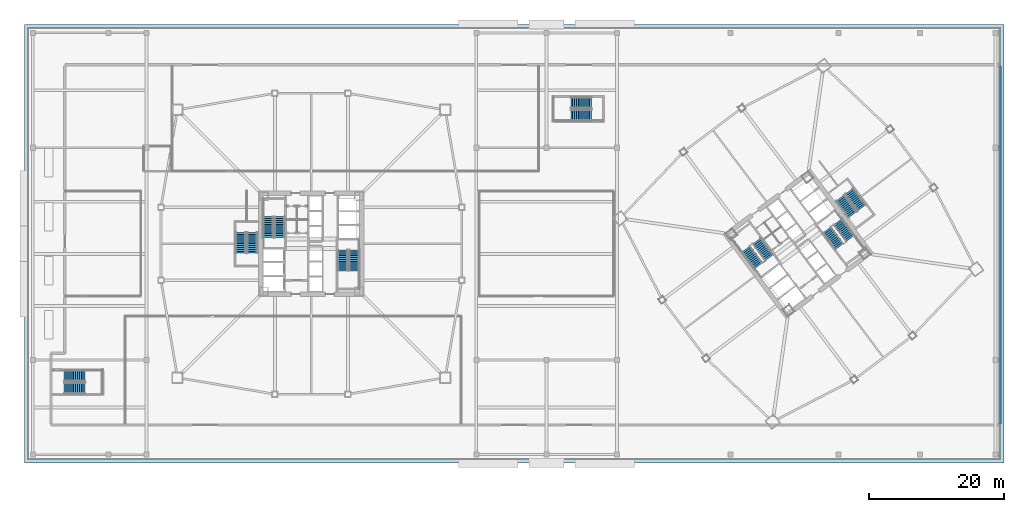
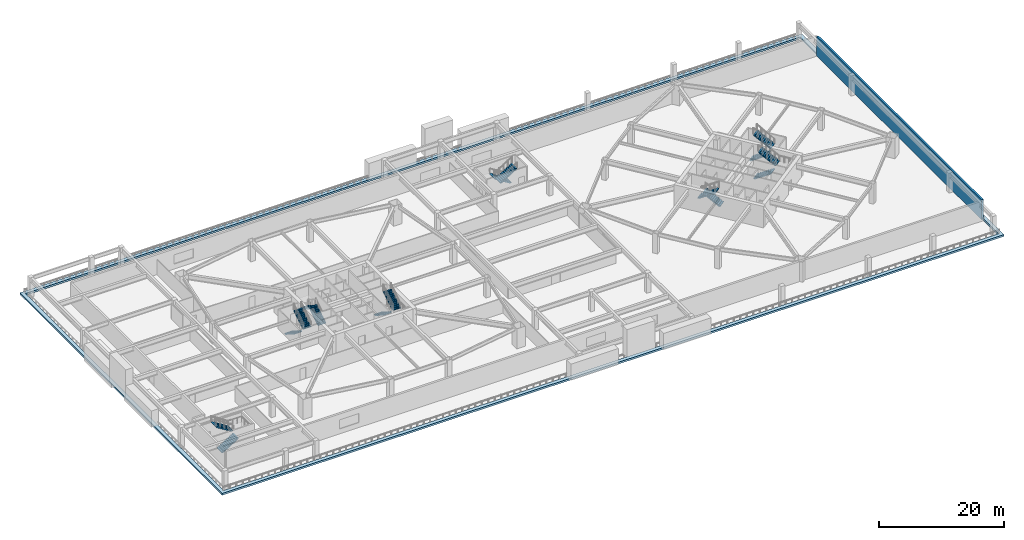
# One storey, part 11 of 20: 16 stair flights, 1 roof, 1 wall, 8 elements without a shape of their own.
"""IFC4 building model written with IfcOpenShell, lengths in metres."""

from ifc_helpers import new_model, si_unit, direction, frame, frame_2d, origin, place, context, subcontext, project, spatial, polyline, rectangle, outline, extrude, material, layer, layer_set, type_object, element, aggregate, save


model = new_model("IFC4")

# Units and contexts
model_context = context("Model", 3, precision=1e-05, world=origin(), true_north=direction((0.0, 1.0)))
body_context = subcontext(model_context, "Body", "Model", "MODEL_VIEW")
ifc_project = project(units=[si_unit("LENGTHUNIT", "METRE"), si_unit("AREAUNIT", "SQUARE_METRE"), si_unit("VOLUMEUNIT", "CUBIC_METRE"), si_unit("PLANEANGLEUNIT", "RADIAN"), si_unit("MASSUNIT", "GRAM", prefix="KILO")], contexts=[model_context])

# Site, building, storey
site_placement = place(None, origin())
site = spatial("IfcSite", under=ifc_project, at=site_placement, CompositionType="ELEMENT")
building_placement = place(site_placement, origin())
building = spatial("IfcBuilding", under=site, at=building_placement, Name="Tashvorn Skyway Center", CompositionType="ELEMENT")
storey_placement = place(building_placement, frame((0.0, 0.0, 15.60009765625)))
storey = spatial("IfcBuildingStorey", under=building, at=storey_placement, Name="L03", CompositionType="ELEMENT", Elevation=15.60009765625)

# Wall
ifc_material_1 = material(Name="Precast concrete C40/50", Category="concrete")
ifc_layer_1 = layer(ifc_material_1, 0.35009765625)
ifc_layer_set_1 = layer_set([ifc_layer_1], Name="Precast concrete C40/50")
wall_type = type_object("IfcWallType", Name="WALL-EXT-350", PredefinedType="SOLIDWALL", material=ifc_layer_set_1)
wall_placement = place(storey_placement, frame((143.824951171875, 58.27490234375, 0.0), z_axis=(0.0, 0.0, 1.0), x_axis=(0.0, -1.0, 0.0)))
element("IfcWall", 1, at=wall_placement, inside=storey, type_object=wall_type, Name="L03 East Postmodern Facade Wall", PredefinedType="SOLIDWALL", context=body_context, shape_type="SweptSolid", body=[
    extrude(rectangle(XDim=52.89990234375, YDim=0.35009765625, at=frame_2d((26.449951171875, 0.0))), origin(), (0.0, 0.0, 1.0), 3.89990234375),
])

# Stair, stair flights
ifc_material_2 = material(Name="Concrete C40/50", Category="concrete")
stair_type_1 = type_object("IfcStairType", Name="STAIR-CORE-1500", PredefinedType="HALF_TURN_STAIR", material=ifc_material_2)
stair_1_placement = place(storey_placement, origin())
stair_1 = element("IfcStair", 2, at=stair_1_placement, inside=storey, type_object=stair_type_1, Name="L03 Tower 1 Exit Stair 1", PredefinedType="HALF_TURN_STAIR")
stair_flight_type_1 = type_object("IfcStairFlightType", Name="SFLIGHT-1500", PredefinedType="STRAIGHT", material=ifc_material_2)
stair_flight_1_placement = place(storey_placement, frame((37.35009765625, 32.919921875, 0.0), z_axis=(0.0, 0.0, 1.0), x_axis=(0.0, 1.0, 0.0)))
stair_flight_1 = element("IfcStairFlight", 3, at=stair_flight_1_placement, type_object=stair_flight_type_1, Name="ST-T1-1 flight 1", NumberOfRisers=12, NumberOfTreads=11, PredefinedType="STRAIGHT", RiserHeight=0.175, TreadLength=0.28, context=body_context, shape_type="SweptSolid", body=[
    extrude(outline(polyline([(0.0, 0.0), (0.0, 0.175048828125), (0.280029296875, 0.175048828125), (0.280029296875, 0.35009765625), (0.56005859375, 0.35009765625), (0.56005859375, 0.52490234375), (0.840087890625, 0.52490234375), (0.840087890625, 0.699951171875), (1.1201171875, 0.699951171875), (1.1201171875, 0.875), (1.39990234375, 0.875), (1.39990234375, 1.050048828125), (1.679931640625, 1.050048828125), (1.679931640625, 1.22509765625), (1.9599609375, 1.22509765625), (1.9599609375, 1.39990234375), (2.239990234375, 1.39990234375), (2.239990234375, 1.574951171875), (2.52001953125, 1.574951171875), (2.52001953125, 1.75), (2.800048828125, 1.75), (2.800048828125, 1.925048828125), (3.080078125, 1.925048828125), (3.080078125, 2.10009765625), (3.080078125, 1.748291015625), (0.28271484375, 0.0), (0.0, 0.0)])), frame((0.0, 0.75, 0.0), z_axis=(0.0, -1.0, 0.0), x_axis=(1.0, 0.0, 0.0)), (0.0, 0.0, 1.0), 1.5),
])
stair_flight_2_placement = place(storey_placement, frame((35.64990234375, 36.0, 2.099853515625), z_axis=(0.0, 0.0, 1.0), x_axis=(0.0, -1.0, 0.0)))
stair_flight_2 = element("IfcStairFlight", 4, at=stair_flight_2_placement, type_object=stair_flight_type_1, Name="ST-T1-1 flight 2", NumberOfRisers=12, NumberOfTreads=11, PredefinedType="STRAIGHT", RiserHeight=0.175, TreadLength=0.28, context=body_context, shape_type="SweptSolid", body=[
    extrude(outline(polyline([(0.0, 0.0), (0.0, 0.175048828125), (0.280029296875, 0.175048828125), (0.280029296875, 0.35009765625), (0.56005859375, 0.35009765625), (0.56005859375, 0.52490234375), (0.840087890625, 0.52490234375), (0.840087890625, 0.699951171875), (1.1201171875, 0.699951171875), (1.1201171875, 0.875), (1.39990234375, 0.875), (1.39990234375, 1.050048828125), (1.679931640625, 1.050048828125), (1.679931640625, 1.22509765625), (1.9599609375, 1.22509765625), (1.9599609375, 1.39990234375), (2.239990234375, 1.39990234375), (2.239990234375, 1.574951171875), (2.52001953125, 1.574951171875), (2.52001953125, 1.75), (2.800048828125, 1.75), (2.800048828125, 1.925048828125), (3.080078125, 1.925048828125), (3.080078125, 2.10009765625), (3.080078125, 1.748291015625), (0.28271484375, 0.0), (0.0, 0.0)])), frame((0.0, 0.75, 0.0), z_axis=(0.0, -1.0, 0.0), x_axis=(1.0, 0.0, 0.0)), (0.0, 0.0, 1.0), 1.5),
])
aggregate(stair_1, [stair_flight_1, stair_flight_2])

stair_2_placement = place(storey_placement, origin())
stair_2 = element("IfcStair", 5, at=stair_2_placement, inside=storey, type_object=stair_type_1, Name="L03 Tower 1 Exit Stair 2", PredefinedType="HALF_TURN_STAIR")
stair_flight_3_placement = place(storey_placement, frame((46.64990234375, 31.080078125, 0.0), z_axis=(0.0, 0.0, 1.0), x_axis=(0.0, -1.0, 0.0)))
stair_flight_3 = element("IfcStairFlight", 6, at=stair_flight_3_placement, type_object=stair_flight_type_1, Name="ST-T1-2 flight 1", NumberOfRisers=12, NumberOfTreads=11, PredefinedType="STRAIGHT", RiserHeight=0.175, TreadLength=0.28, context=body_context, shape_type="SweptSolid", body=[
    extrude(outline(polyline([(0.0, 0.0), (0.0, 0.175048828125), (0.280029296875, 0.175048828125), (0.280029296875, 0.35009765625), (0.56005859375, 0.35009765625), (0.56005859375, 0.52490234375), (0.840087890625, 0.52490234375), (0.840087890625, 0.699951171875), (1.1201171875, 0.699951171875), (1.1201171875, 0.875), (1.39990234375, 0.875), (1.39990234375, 1.050048828125), (1.679931640625, 1.050048828125), (1.679931640625, 1.22509765625), (1.9599609375, 1.22509765625), (1.9599609375, 1.39990234375), (2.239990234375, 1.39990234375), (2.239990234375, 1.574951171875), (2.52001953125, 1.574951171875), (2.52001953125, 1.75), (2.800048828125, 1.75), (2.800048828125, 1.925048828125), (3.080078125, 1.925048828125), (3.080078125, 2.10009765625), (3.080078125, 1.748291015625), (0.28271484375, 0.0), (0.0, 0.0)])), frame((0.0, 0.75, 0.0), z_axis=(0.0, -1.0, 0.0), x_axis=(1.0, 0.0, 0.0)), (0.0, 0.0, 1.0), 1.5),
])
stair_flight_4_placement = place(storey_placement, frame((48.35009765625, 28.0, 2.099853515625), z_axis=(0.0, 0.0, 1.0), x_axis=(0.0, 1.0, 0.0)))
stair_flight_4 = element("IfcStairFlight", 7, at=stair_flight_4_placement, type_object=stair_flight_type_1, Name="ST-T1-2 flight 2", NumberOfRisers=12, NumberOfTreads=11, PredefinedType="STRAIGHT", RiserHeight=0.175, TreadLength=0.28, context=body_context, shape_type="SweptSolid", body=[
    extrude(outline(polyline([(0.0, 0.0), (0.0, 0.175048828125), (0.280029296875, 0.175048828125), (0.280029296875, 0.35009765625), (0.56005859375, 0.35009765625), (0.56005859375, 0.52490234375), (0.840087890625, 0.52490234375), (0.840087890625, 0.699951171875), (1.1201171875, 0.699951171875), (1.1201171875, 0.875), (1.39990234375, 0.875), (1.39990234375, 1.050048828125), (1.679931640625, 1.050048828125), (1.679931640625, 1.22509765625), (1.9599609375, 1.22509765625), (1.9599609375, 1.39990234375), (2.239990234375, 1.39990234375), (2.239990234375, 1.574951171875), (2.52001953125, 1.574951171875), (2.52001953125, 1.75), (2.800048828125, 1.75), (2.800048828125, 1.925048828125), (3.080078125, 1.925048828125), (3.080078125, 2.10009765625), (3.080078125, 1.748291015625), (0.28271484375, 0.0), (0.0, 0.0)])), frame((0.0, 0.75, 0.0), z_axis=(0.0, -1.0, 0.0), x_axis=(1.0, 0.0, 0.0)), (0.0, 0.0, 1.0), 1.5),
])
aggregate(stair_2, [stair_flight_3, stair_flight_4])

stair_3_placement = place(storey_placement, origin())
stair_3 = element("IfcStair", 8, at=stair_3_placement, inside=storey, type_object=stair_type_1, Name="L03 Tower 2 Exit Stair 1", PredefinedType="HALF_TURN_STAIR")
stair_flight_5_placement = place(storey_placement, frame((109.72802734375, 29.946044921875, 0.0), z_axis=(0.0, 0.0, 1.0), x_axis=(-0.600000004945, 0.799999996291, 0.0)))
stair_flight_5 = element("IfcStairFlight", 9, at=stair_flight_5_placement, type_object=stair_flight_type_1, Name="ST-T2-1 flight 1", NumberOfRisers=12, NumberOfTreads=11, PredefinedType="STRAIGHT", RiserHeight=0.175, TreadLength=0.28, context=body_context, shape_type="SweptSolid", body=[
    extrude(outline(polyline([(0.0, 0.0), (0.0, 0.175048828125), (0.280029296875, 0.175048828125), (0.280029296875, 0.35009765625), (0.56005859375, 0.35009765625), (0.56005859375, 0.52490234375), (0.840087890625, 0.52490234375), (0.840087890625, 0.699951171875), (1.1201171875, 0.699951171875), (1.1201171875, 0.875), (1.39990234375, 0.875), (1.39990234375, 1.050048828125), (1.679931640625, 1.050048828125), (1.679931640625, 1.22509765625), (1.9599609375, 1.22509765625), (1.9599609375, 1.39990234375), (2.239990234375, 1.39990234375), (2.239990234375, 1.574951171875), (2.52001953125, 1.574951171875), (2.52001953125, 1.75), (2.800048828125, 1.75), (2.800048828125, 1.925048828125), (3.080078125, 1.925048828125), (3.080078125, 2.10009765625), (3.080078125, 1.748291015625), (0.28271484375, 0.0), (0.0, 0.0)])), frame((0.0, 0.75, 0.0), z_axis=(0.0, -1.0, 0.0), x_axis=(1.0, 0.0, 0.0)), (0.0, 0.0, 1.0), 1.5),
])
stair_flight_6_placement = place(storey_placement, frame((106.2958984375, 31.221923828125, 2.099853515625), z_axis=(0.0, 0.0, 1.0), x_axis=(0.600000004945, -0.799999996291, 0.0)))
stair_flight_6 = element("IfcStairFlight", 10, at=stair_flight_6_placement, type_object=stair_flight_type_1, Name="ST-T2-1 flight 2", NumberOfRisers=12, NumberOfTreads=11, PredefinedType="STRAIGHT", RiserHeight=0.175, TreadLength=0.28, context=body_context, shape_type="SweptSolid", body=[
    extrude(outline(polyline([(0.0, 0.0), (0.0, 0.175048828125), (0.280029296875, 0.175048828125), (0.280029296875, 0.35009765625), (0.56005859375, 0.35009765625), (0.56005859375, 0.52490234375), (0.840087890625, 0.52490234375), (0.840087890625, 0.699951171875), (1.1201171875, 0.699951171875), (1.1201171875, 0.875), (1.39990234375, 0.875), (1.39990234375, 1.050048828125), (1.679931640625, 1.050048828125), (1.679931640625, 1.22509765625), (1.9599609375, 1.22509765625), (1.9599609375, 1.39990234375), (2.239990234375, 1.39990234375), (2.239990234375, 1.574951171875), (2.52001953125, 1.574951171875), (2.52001953125, 1.75), (2.800048828125, 1.75), (2.800048828125, 1.925048828125), (3.080078125, 1.925048828125), (3.080078125, 2.10009765625), (3.080078125, 1.748291015625), (0.28271484375, 0.0), (0.0, 0.0)])), frame((0.0, 0.75, 0.0), z_axis=(0.0, -1.0, 0.0), x_axis=(1.0, 0.0, 0.0)), (0.0, 0.0, 1.0), 1.5),
])
aggregate(stair_3, [stair_flight_5, stair_flight_6])

stair_4_placement = place(storey_placement, origin())
stair_4 = element("IfcStair", 11, at=stair_4_placement, inside=storey, type_object=stair_type_1, Name="L03 Tower 2 Exit Stair 2", PredefinedType="HALF_TURN_STAIR")
stair_flight_7_placement = place(storey_placement, frame((118.27197265625, 34.053955078125, 0.0), z_axis=(0.0, 0.0, 1.0), x_axis=(0.600000004945, -0.799999996291, 0.0)))
stair_flight_7 = element("IfcStairFlight", 12, at=stair_flight_7_placement, type_object=stair_flight_type_1, Name="ST-T2-2 flight 1", NumberOfRisers=12, NumberOfTreads=11, PredefinedType="STRAIGHT", RiserHeight=0.175, TreadLength=0.28, context=body_context, shape_type="SweptSolid", body=[
    extrude(outline(polyline([(0.0, 0.0), (0.0, 0.175048828125), (0.280029296875, 0.175048828125), (0.280029296875, 0.35009765625), (0.56005859375, 0.35009765625), (0.56005859375, 0.52490234375), (0.840087890625, 0.52490234375), (0.840087890625, 0.699951171875), (1.1201171875, 0.699951171875), (1.1201171875, 0.875), (1.39990234375, 0.875), (1.39990234375, 1.050048828125), (1.679931640625, 1.050048828125), (1.679931640625, 1.22509765625), (1.9599609375, 1.22509765625), (1.9599609375, 1.39990234375), (2.239990234375, 1.39990234375), (2.239990234375, 1.574951171875), (2.52001953125, 1.574951171875), (2.52001953125, 1.75), (2.800048828125, 1.75), (2.800048828125, 1.925048828125), (3.080078125, 1.925048828125), (3.080078125, 2.10009765625), (3.080078125, 1.748291015625), (0.28271484375, 0.0), (0.0, 0.0)])), frame((0.0, 0.75, 0.0), z_axis=(0.0, -1.0, 0.0), x_axis=(1.0, 0.0, 0.0)), (0.0, 0.0, 1.0), 1.5),
])
stair_flight_8_placement = place(storey_placement, frame((121.7041015625, 32.778076171875, 2.099853515625), z_axis=(0.0, 0.0, 1.0), x_axis=(-0.600000004945, 0.799999996291, 0.0)))
stair_flight_8 = element("IfcStairFlight", 13, at=stair_flight_8_placement, type_object=stair_flight_type_1, Name="ST-T2-2 flight 2", NumberOfRisers=12, NumberOfTreads=11, PredefinedType="STRAIGHT", RiserHeight=0.175, TreadLength=0.28, context=body_context, shape_type="SweptSolid", body=[
    extrude(outline(polyline([(0.0, 0.0), (0.0, 0.175048828125), (0.280029296875, 0.175048828125), (0.280029296875, 0.35009765625), (0.56005859375, 0.35009765625), (0.56005859375, 0.52490234375), (0.840087890625, 0.52490234375), (0.840087890625, 0.699951171875), (1.1201171875, 0.699951171875), (1.1201171875, 0.875), (1.39990234375, 0.875), (1.39990234375, 1.050048828125), (1.679931640625, 1.050048828125), (1.679931640625, 1.22509765625), (1.9599609375, 1.22509765625), (1.9599609375, 1.39990234375), (2.239990234375, 1.39990234375), (2.239990234375, 1.574951171875), (2.52001953125, 1.574951171875), (2.52001953125, 1.75), (2.800048828125, 1.75), (2.800048828125, 1.925048828125), (3.080078125, 1.925048828125), (3.080078125, 2.10009765625), (3.080078125, 1.748291015625), (0.28271484375, 0.0), (0.0, 0.0)])), frame((0.0, 0.75, 0.0), z_axis=(0.0, -1.0, 0.0), x_axis=(1.0, 0.0, 0.0)), (0.0, 0.0, 1.0), 1.5),
])
aggregate(stair_4, [stair_flight_7, stair_flight_8])

stair_5_placement = place(storey_placement, origin())
stair_5 = element("IfcStair", 14, at=stair_5_placement, inside=storey, type_object=stair_type_1, Name="L03 Tower 1 Exit Stair 3", PredefinedType="HALF_TURN_STAIR")
stair_flight_9_placement = place(storey_placement, frame((31.550048828125, 33.679931640625, 0.0), z_axis=(0.0, 0.0, 1.0), x_axis=(0.0, -1.0, 0.0)))
stair_flight_9 = element("IfcStairFlight", 15, at=stair_flight_9_placement, type_object=stair_flight_type_1, Name="ST-T1-3 flight 1", NumberOfRisers=12, NumberOfTreads=11, PredefinedType="STRAIGHT", RiserHeight=0.175, TreadLength=0.28, context=body_context, shape_type="SweptSolid", body=[
    extrude(outline(polyline([(0.0, 0.0), (0.0, 0.175048828125), (0.280029296875, 0.175048828125), (0.280029296875, 0.35009765625), (0.56005859375, 0.35009765625), (0.56005859375, 0.52490234375), (0.840087890625, 0.52490234375), (0.840087890625, 0.699951171875), (1.1201171875, 0.699951171875), (1.1201171875, 0.875), (1.39990234375, 0.875), (1.39990234375, 1.050048828125), (1.679931640625, 1.050048828125), (1.679931640625, 1.22509765625), (1.9599609375, 1.22509765625), (1.9599609375, 1.39990234375), (2.239990234375, 1.39990234375), (2.239990234375, 1.574951171875), (2.52001953125, 1.574951171875), (2.52001953125, 1.75), (2.800048828125, 1.75), (2.800048828125, 1.925048828125), (3.080078125, 1.925048828125), (3.080078125, 2.10009765625), (3.080078125, 1.748291015625), (0.28271484375, 0.0), (0.0, 0.0)])), frame((0.0, 0.75, 0.0), z_axis=(0.0, -1.0, 0.0), x_axis=(1.0, 0.0, 0.0)), (0.0, 0.0, 1.0), 1.5),
])
stair_flight_10_placement = place(storey_placement, frame((33.25, 30.60009765625, 2.099853515625), z_axis=(0.0, 0.0, 1.0), x_axis=(0.0, 1.0, 0.0)))
stair_flight_10 = element("IfcStairFlight", 16, at=stair_flight_10_placement, type_object=stair_flight_type_1, Name="ST-T1-3 flight 2", NumberOfRisers=12, NumberOfTreads=11, PredefinedType="STRAIGHT", RiserHeight=0.175, TreadLength=0.28, context=body_context, shape_type="SweptSolid", body=[
    extrude(outline(polyline([(0.0, 0.0), (0.0, 0.175048828125), (0.280029296875, 0.175048828125), (0.280029296875, 0.35009765625), (0.56005859375, 0.35009765625), (0.56005859375, 0.52490234375), (0.840087890625, 0.52490234375), (0.840087890625, 0.699951171875), (1.1201171875, 0.699951171875), (1.1201171875, 0.875), (1.39990234375, 0.875), (1.39990234375, 1.050048828125), (1.679931640625, 1.050048828125), (1.679931640625, 1.22509765625), (1.9599609375, 1.22509765625), (1.9599609375, 1.39990234375), (2.239990234375, 1.39990234375), (2.239990234375, 1.574951171875), (2.52001953125, 1.574951171875), (2.52001953125, 1.75), (2.800048828125, 1.75), (2.800048828125, 1.925048828125), (3.080078125, 1.925048828125), (3.080078125, 2.10009765625), (3.080078125, 1.748291015625), (0.28271484375, 0.0), (0.0, 0.0)])), frame((0.0, 0.75, 0.0), z_axis=(0.0, -1.0, 0.0), x_axis=(1.0, 0.0, 0.0)), (0.0, 0.0, 1.0), 1.5),
])
aggregate(stair_5, [stair_flight_9, stair_flight_10])

stair_6_placement = place(storey_placement, origin())
stair_6 = element("IfcStair", 17, at=stair_6_placement, inside=storey, type_object=stair_type_1, Name="L03 Tower 2 Exit Stair 3", PredefinedType="HALF_TURN_STAIR")
stair_flight_11_placement = place(storey_placement, frame((120.216064453125, 38.761962890625, 0.0), z_axis=(0.0, 0.0, 1.0), x_axis=(0.600000004945, -0.799999996291, 0.0)))
stair_flight_11 = element("IfcStairFlight", 18, at=stair_flight_11_placement, type_object=stair_flight_type_1, Name="ST-T2-3 flight 1", NumberOfRisers=12, NumberOfTreads=11, PredefinedType="STRAIGHT", RiserHeight=0.175, TreadLength=0.28, context=body_context, shape_type="SweptSolid", body=[
    extrude(outline(polyline([(0.0, 0.0), (0.0, 0.175048828125), (0.280029296875, 0.175048828125), (0.280029296875, 0.35009765625), (0.56005859375, 0.35009765625), (0.56005859375, 0.52490234375), (0.840087890625, 0.52490234375), (0.840087890625, 0.699951171875), (1.1201171875, 0.699951171875), (1.1201171875, 0.875), (1.39990234375, 0.875), (1.39990234375, 1.050048828125), (1.679931640625, 1.050048828125), (1.679931640625, 1.22509765625), (1.9599609375, 1.22509765625), (1.9599609375, 1.39990234375), (2.239990234375, 1.39990234375), (2.239990234375, 1.574951171875), (2.52001953125, 1.574951171875), (2.52001953125, 1.75), (2.800048828125, 1.75), (2.800048828125, 1.925048828125), (3.080078125, 1.925048828125), (3.080078125, 2.10009765625), (3.080078125, 1.748291015625), (0.28271484375, 0.0), (0.0, 0.0)])), frame((0.0, 0.75, 0.0), z_axis=(0.0, -1.0, 0.0), x_axis=(1.0, 0.0, 0.0)), (0.0, 0.0, 1.0), 1.5),
])
stair_flight_12_placement = place(storey_placement, frame((123.424072265625, 37.318115234375, 2.099853515625), z_axis=(0.0, 0.0, 1.0), x_axis=(-0.600000004945, 0.799999996291, 0.0)))
stair_flight_12 = element("IfcStairFlight", 19, at=stair_flight_12_placement, type_object=stair_flight_type_1, Name="ST-T2-3 flight 2", NumberOfRisers=12, NumberOfTreads=11, PredefinedType="STRAIGHT", RiserHeight=0.175, TreadLength=0.28, context=body_context, shape_type="SweptSolid", body=[
    extrude(outline(polyline([(0.0, 0.0), (0.0, 0.175048828125), (0.280029296875, 0.175048828125), (0.280029296875, 0.35009765625), (0.56005859375, 0.35009765625), (0.56005859375, 0.52490234375), (0.840087890625, 0.52490234375), (0.840087890625, 0.699951171875), (1.1201171875, 0.699951171875), (1.1201171875, 0.875), (1.39990234375, 0.875), (1.39990234375, 1.050048828125), (1.679931640625, 1.050048828125), (1.679931640625, 1.22509765625), (1.9599609375, 1.22509765625), (1.9599609375, 1.39990234375), (2.239990234375, 1.39990234375), (2.239990234375, 1.574951171875), (2.52001953125, 1.574951171875), (2.52001953125, 1.75), (2.800048828125, 1.75), (2.800048828125, 1.925048828125), (3.080078125, 1.925048828125), (3.080078125, 2.10009765625), (3.080078125, 1.748291015625), (0.28271484375, 0.0), (0.0, 0.0)])), frame((0.0, 0.75, 0.0), z_axis=(0.0, -1.0, 0.0), x_axis=(1.0, 0.0, 0.0)), (0.0, 0.0, 1.0), 1.5),
])
aggregate(stair_6, [stair_flight_11, stair_flight_12])

stair_type_2 = type_object("IfcStairType", Name="STAIR-POD-1650", PredefinedType="HALF_TURN_STAIR", material=ifc_material_2)
stair_7_placement = place(storey_placement, origin())
stair_7 = element("IfcStair", 20, at=stair_7_placement, inside=storey, type_object=stair_type_2, Name="L03 Podium West Exit Stair 1", PredefinedType="HALF_TURN_STAIR")
stair_flight_type_2 = type_object("IfcStairFlightType", Name="SFLIGHT-1650", PredefinedType="STRAIGHT", material=ifc_material_2)
stair_flight_13_placement = place(storey_placement, frame((5.449951171875, 10.625, 0.0), z_axis=(0.0, 0.0, 1.0), x_axis=(1.0, 0.0, 0.0)))
stair_flight_13 = element("IfcStairFlight", 21, at=stair_flight_13_placement, type_object=stair_flight_type_2, Name="ST-POD-1 flight 1", NumberOfRisers=12, NumberOfTreads=11, PredefinedType="STRAIGHT", RiserHeight=0.175, TreadLength=0.28, context=body_context, shape_type="SweptSolid", body=[
    extrude(outline(polyline([(0.0, 0.0), (0.0, 0.175048828125), (0.280029296875, 0.175048828125), (0.280029296875, 0.35009765625), (0.56005859375, 0.35009765625), (0.56005859375, 0.52490234375), (0.840087890625, 0.52490234375), (0.840087890625, 0.699951171875), (1.1201171875, 0.699951171875), (1.1201171875, 0.875), (1.39990234375, 0.875), (1.39990234375, 1.050048828125), (1.679931640625, 1.050048828125), (1.679931640625, 1.22509765625), (1.9599609375, 1.22509765625), (1.9599609375, 1.39990234375), (2.239990234375, 1.39990234375), (2.239990234375, 1.574951171875), (2.52001953125, 1.574951171875), (2.52001953125, 1.75), (2.800048828125, 1.75), (2.800048828125, 1.925048828125), (3.080078125, 1.925048828125), (3.080078125, 2.10009765625), (3.080078125, 1.748291015625), (0.28271484375, 0.0), (0.0, 0.0)])), frame((0.0, 0.824951171875, 0.0), z_axis=(0.0, -1.0, 0.0), x_axis=(1.0, 0.0, 0.0)), (0.0, 0.0, 1.0), 1.64990234375),
])
stair_flight_14_placement = place(storey_placement, frame((8.530029296875, 12.47509765625, 2.099853515625), z_axis=(0.0, 0.0, 1.0), x_axis=(-1.0, 0.0, 0.0)))
stair_flight_14 = element("IfcStairFlight", 22, at=stair_flight_14_placement, type_object=stair_flight_type_2, Name="ST-POD-1 flight 2", NumberOfRisers=12, NumberOfTreads=11, PredefinedType="STRAIGHT", RiserHeight=0.175, TreadLength=0.28, context=body_context, shape_type="SweptSolid", body=[
    extrude(outline(polyline([(0.0, 0.0), (0.0, 0.175048828125), (0.280029296875, 0.175048828125), (0.280029296875, 0.35009765625), (0.56005859375, 0.35009765625), (0.56005859375, 0.52490234375), (0.840087890625, 0.52490234375), (0.840087890625, 0.699951171875), (1.1201171875, 0.699951171875), (1.1201171875, 0.875), (1.39990234375, 0.875), (1.39990234375, 1.050048828125), (1.679931640625, 1.050048828125), (1.679931640625, 1.22509765625), (1.9599609375, 1.22509765625), (1.9599609375, 1.39990234375), (2.239990234375, 1.39990234375), (2.239990234375, 1.574951171875), (2.52001953125, 1.574951171875), (2.52001953125, 1.75), (2.800048828125, 1.75), (2.800048828125, 1.925048828125), (3.080078125, 1.925048828125), (3.080078125, 2.10009765625), (3.080078125, 1.748291015625), (0.28271484375, 0.0), (0.0, 0.0)])), frame((0.0, 0.824951171875, 0.0), z_axis=(0.0, -1.0, 0.0), x_axis=(1.0, 0.0, 0.0)), (0.0, 0.0, 1.0), 1.64990234375),
])
aggregate(stair_7, [stair_flight_13, stair_flight_14])

stair_8_placement = place(storey_placement, origin())
stair_8 = element("IfcStair", 23, at=stair_8_placement, inside=storey, type_object=stair_type_2, Name="L03 Podium East Exit Stair 2", PredefinedType="HALF_TURN_STAIR")
stair_flight_15_placement = place(storey_placement, frame((83.449951171875, 52.875, 0.0), z_axis=(0.0, 0.0, 1.0), x_axis=(-1.0, 0.0, 0.0)))
stair_flight_15 = element("IfcStairFlight", 24, at=stair_flight_15_placement, type_object=stair_flight_type_2, Name="ST-POD-2 flight 1", NumberOfRisers=12, NumberOfTreads=11, PredefinedType="STRAIGHT", RiserHeight=0.175, TreadLength=0.28, context=body_context, shape_type="SweptSolid", body=[
    extrude(outline(polyline([(0.0, 0.0), (0.0, 0.175048828125), (0.280029296875, 0.175048828125), (0.280029296875, 0.35009765625), (0.56005859375, 0.35009765625), (0.56005859375, 0.52490234375), (0.840087890625, 0.52490234375), (0.840087890625, 0.699951171875), (1.1201171875, 0.699951171875), (1.1201171875, 0.875), (1.39990234375, 0.875), (1.39990234375, 1.050048828125), (1.679931640625, 1.050048828125), (1.679931640625, 1.22509765625), (1.9599609375, 1.22509765625), (1.9599609375, 1.39990234375), (2.239990234375, 1.39990234375), (2.239990234375, 1.574951171875), (2.52001953125, 1.574951171875), (2.52001953125, 1.75), (2.800048828125, 1.75), (2.800048828125, 1.925048828125), (3.080078125, 1.925048828125), (3.080078125, 2.10009765625), (3.080078125, 1.748291015625), (0.28271484375, 0.0), (0.0, 0.0)])), frame((0.0, 0.824951171875, 0.0), z_axis=(0.0, -1.0, 0.0), x_axis=(1.0, 0.0, 0.0)), (0.0, 0.0, 1.0), 1.64990234375),
])
stair_flight_16_placement = place(storey_placement, frame((80.3701171875, 51.02490234375, 2.099853515625), z_axis=(0.0, 0.0, 1.0), x_axis=(1.0, 0.0, 0.0)))
stair_flight_16 = element("IfcStairFlight", 25, at=stair_flight_16_placement, type_object=stair_flight_type_2, Name="ST-POD-2 flight 2", NumberOfRisers=12, NumberOfTreads=11, PredefinedType="STRAIGHT", RiserHeight=0.175, TreadLength=0.28, context=body_context, shape_type="SweptSolid", body=[
    extrude(outline(polyline([(0.0, 0.0), (0.0, 0.175048828125), (0.280029296875, 0.175048828125), (0.280029296875, 0.35009765625), (0.56005859375, 0.35009765625), (0.56005859375, 0.52490234375), (0.840087890625, 0.52490234375), (0.840087890625, 0.699951171875), (1.1201171875, 0.699951171875), (1.1201171875, 0.875), (1.39990234375, 0.875), (1.39990234375, 1.050048828125), (1.679931640625, 1.050048828125), (1.679931640625, 1.22509765625), (1.9599609375, 1.22509765625), (1.9599609375, 1.39990234375), (2.239990234375, 1.39990234375), (2.239990234375, 1.574951171875), (2.52001953125, 1.574951171875), (2.52001953125, 1.75), (2.800048828125, 1.75), (2.800048828125, 1.925048828125), (3.080078125, 1.925048828125), (3.080078125, 2.10009765625), (3.080078125, 1.748291015625), (0.28271484375, 0.0), (0.0, 0.0)])), frame((0.0, 0.824951171875, 0.0), z_axis=(0.0, -1.0, 0.0), x_axis=(1.0, 0.0, 0.0)), (0.0, 0.0, 1.0), 1.64990234375),
])
aggregate(stair_8, [stair_flight_15, stair_flight_16])

# Roof
ifc_material_3 = material(Name="Architectural glazed Mojave terracotta roof and cornice system", Category="masonry")
ifc_layer_2 = layer(ifc_material_3, 0.360107421875)
ifc_layer_set_2 = layer_set([ifc_layer_2], Name="Architectural glazed Mojave terracotta roof and cornice system")
roof_type = type_object("IfcRoofType", Name="ROOF-PM-CORNICE", PredefinedType="GABLE_ROOF", material=ifc_layer_set_2)
roof_placement = place(storey_placement, origin())
element("IfcRoof", 26, at=roof_placement, inside=storey, type_object=roof_type, Name="Postmodern Terracotta Podium Cornice Frieze 2", PredefinedType="GABLE_ROOF", context=body_context, shape_type="SweptSolid", body=[
    extrude(outline(polyline([(-0.449951171875, -0.449951171875), (144.449951171875, -0.449951171875), (144.449951171875, 64.449951171875), (-0.449951171875, 64.449951171875), (-0.449951171875, -0.449951171875)]), holes=[polyline([(0.199951171875, 0.199951171875), (143.800048828125, 0.199951171875), (143.800048828125, 63.800048828125), (0.199951171875, 63.800048828125), (0.199951171875, 0.199951171875)])]), origin(), (0.0, 0.0, 1.0), 0.35986328125),
])

save(model, "model.ifc")
